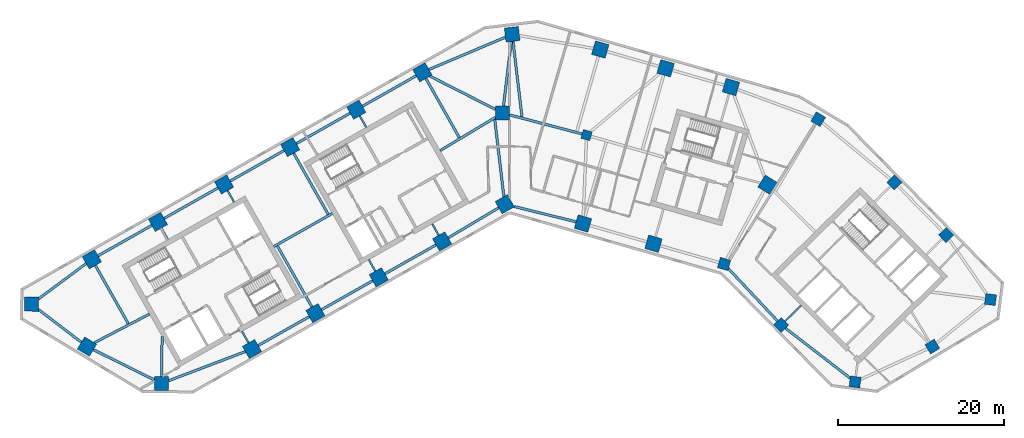
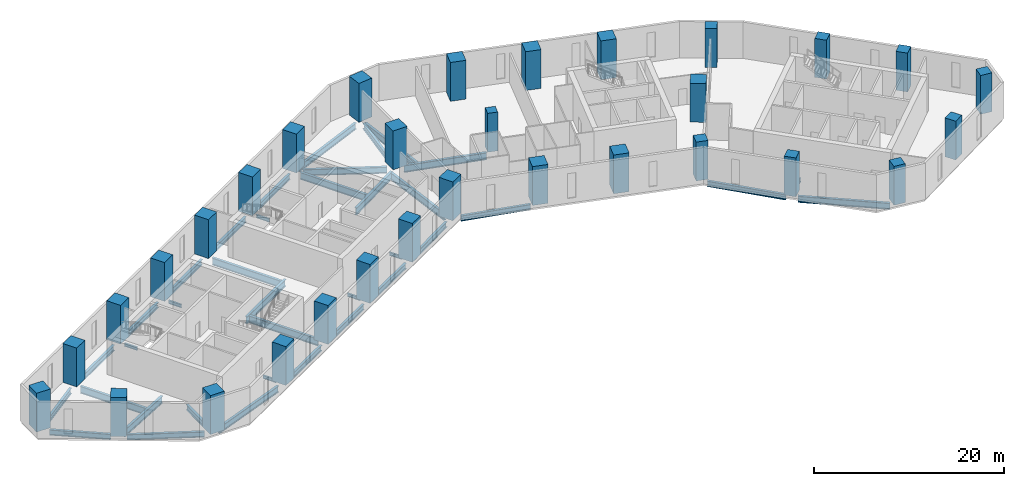
# One storey, part 1 of 10: 37 beams, 31 columns.
"""IFC4 building model written with IfcOpenShell, lengths in metres."""

from ifc_helpers import new_model, si_unit, direction, frame, origin, origin_2d, place, context, subcontext, project, spatial, rectangle, i_section, extrude, material, material_profile, profile_set, type_object, element, save


model = new_model("IFC4")

# Units and contexts
model_context = context("Model", 3, precision=1e-05, world=origin(), true_north=direction((0.0, 1.0)))
body_context = subcontext(model_context, "Body", "Model", "MODEL_VIEW")
ifc_project = project(units=[si_unit("LENGTHUNIT", "METRE"), si_unit("AREAUNIT", "SQUARE_METRE"), si_unit("VOLUMEUNIT", "CUBIC_METRE"), si_unit("PLANEANGLEUNIT", "RADIAN"), si_unit("MASSUNIT", "GRAM", prefix="KILO")], contexts=[model_context])

# Site, building, storey
site_placement = place(None, origin())
site = spatial("IfcSite", under=ifc_project, at=site_placement, CompositionType="ELEMENT")
building_placement = place(site_placement, origin())
building = spatial("IfcBuilding", under=site, at=building_placement, Name="Binnacle Exchange Tower", CompositionType="ELEMENT")
storey_placement = place(building_placement, frame((0.0, 0.0, 71.5)))
storey = spatial("IfcBuildingStorey", under=building, at=storey_placement, Name="L14", CompositionType="ELEMENT", Elevation=71.5)

# Columns
ifc_material_1 = material(Name="Concrete C60/75", Category="concrete")
ifc_material_profile_1 = material_profile(ifc_material_1, rectangle(XDim=1.10009765625, YDim=1.10009765625, at=origin_2d()), Name="Column 1100x1100 C60/75")
ifc_profile_set_1 = profile_set([ifc_material_profile_1], Name="Concrete C60/75")
column_type_1 = type_object("IfcColumnType", Name="Column 1100x1100 C60/75", PredefinedType="COLUMN", material=ifc_profile_set_1)
column_placement = place(storey_placement, frame((9.240966796875, 57.35009765625, 0.0), z_axis=(0.0, 0.0, 1.0), x_axis=(0.961261695938, -0.275637355817, 0.0)))
element("IfcColumn", 1, at=column_placement, inside=storey, type_object=column_type_1, Name="S:COL:C19:L14", PredefinedType="COLUMN", context=body_context, shape_type="SweptSolid", body=[
    extrude(rectangle(XDim=1.10009765625, YDim=1.10009765625, at=origin_2d()), origin(), (0.0, 0.0, 1.0), 5.0),
])
ifc_material_2 = material(Name="Concrete C70/85", Category="concrete")
ifc_material_profile_2 = material_profile(ifc_material_2, rectangle(XDim=1.300048828125, YDim=1.300048828125, at=origin_2d()), Name="Mega column 1300x1300 C70/85")
ifc_profile_set_2 = profile_set([ifc_material_profile_2], Name="Concrete C70/85")
column_type_2 = type_object("IfcColumnType", Name="Mega column 1300x1300 C70/85", PredefinedType="COLUMN", material=ifc_profile_set_2)
for number, where, z_axis, x_axis, name in (
    (2, (37.0849609375, 59.262451171875, 0.0), (0.0, 0.0, 1.0), (-0.859406411501, 0.511293086077, 0.0), "S:COL:MC57:L14"),
    (3, (25.766845703125, 41.85986328125, 0.0), (0.0, 0.0, 1.0), (0.961261695938, -0.275637355817, 0.0), "S:COL:MC56:L14"),
    (4, (32.64111328125, 34.530029296875, 0.0), (0.0, 0.0, 1.0), (0.7009092643, -0.713250449154, 0.0), "S:COL:MC59:L14"),
    (5, (41.519775390625, 27.6748046875, 0.0), (0.0, 0.0, 1.0), (0.99200494968, -0.126198969136, 0.0), "S:COL:MC61:L14"),
    (6, (50.81201171875, 31.930908203125, 0.0), (0.0, 0.0, 1.0), (0.857167300702, 0.51503807491, 0.0), "S:COL:MC63:L14"),
    (7, (57.799072265625, 37.5810546875, 0.0), (0.0, 0.0, 1.0), (0.126198969136, 0.99200494968, 0.0), "S:COL:MC62:L14"),
    (8, (52.466796875, 45.33935546875, 0.0), (0.0, 0.0, 1.0), (-0.7009092643, 0.713250449154, 0.0), "S:COL:MC60:L14"),
    (9, (46.248291015625, 51.667236328125, 0.0), (0.0, 0.0, 1.0), (-0.7009092643, 0.713250449154, 0.0), "S:COL:MC58:L14"),
):
    element("IfcColumn", number, at=place(storey_placement, frame(where, z_axis=z_axis, x_axis=x_axis)), inside=storey, type_object=column_type_2, Name=name, PredefinedType="COLUMN", context=body_context, shape_type="SweptSolid", body=[
        extrude(rectangle(XDim=1.300048828125, YDim=1.300048828125, at=origin_2d()), origin(), (0.0, 0.0, 1.0), 5.0),
    ])
ifc_material_profile_3 = material_profile(ifc_material_2, rectangle(XDim=1.699951171875, YDim=1.699951171875, at=origin_2d()), Name="Mega column 1700x1700 C70/85")
ifc_profile_set_3 = profile_set([ifc_material_profile_3], Name="Concrete C70/85")
column_type_3 = type_object("IfcColumnType", Name="Mega column 1700x1700 C70/85", PredefinedType="COLUMN", material=ifc_profile_set_3)
for number, where, z_axis, x_axis, name in (
    (10, (26.602783203125, 63.12353515625, 0.0), (0.0, 0.0, 1.0), (-0.961261695938, 0.275637355817, 0.0), "S:COL:MC52:L14"),
    (11, (18.746337890625, 65.376220703125, 0.0), (0.0, 0.0, 1.0), (-0.961261695938, 0.275637355817, 0.0), "S:COL:MC50:L14"),
    (12, (10.889892578125, 67.62890625, 0.0), (0.0, 0.0, 1.0), (-0.961261695938, 0.275637355817, 0.0), "S:COL:MC48:L14"),
    (13, (0.300048828125, 69.464111328125, 0.0), (0.0, 0.0, 1.0), (-0.993068456955, -0.117537397458, 0.0), "S:COL:MC47:L14"),
    (14, (-10.4951171875, 64.901611328125, 0.0), (0.0, 0.0, 1.0), (-0.87035569594, -0.492423560103, 0.0), "S:COL:MC38:L14"),
    (15, (-18.44140625, 60.406005859375, 0.0), (0.0, 0.0, 1.0), (-0.87035569594, -0.492423560103, 0.0), "S:COL:MC29:L14"),
    (16, (-26.3876953125, 55.91015625, 0.0), (0.0, 0.0, 1.0), (-0.87035569594, -0.492423560103, 0.0), "S:COL:MC21:L14"),
    (17, (-34.333740234375, 51.414306640625, 0.0), (0.0, 0.0, 1.0), (-0.87035569594, -0.492423560103, 0.0), "S:COL:MC13:L14"),
    (18, (-42.280029296875, 46.918701171875, 0.0), (0.0, 0.0, 1.0), (-0.87035569594, -0.492423560103, 0.0), "S:COL:MC08:L14"),
    (19, (-50.226318359375, 42.4228515625, 0.0), (0.0, 0.0, 1.0), (-0.87035569594, -0.492423560103, 0.0), "S:COL:MC04:L14"),
    (20, (-57.492919921875, 37.02734375, 0.0), (0.0, 0.0, 1.0), (-0.013089595571, -0.999914327574, 0.0), "S:COL:MC02:L14"),
    (21, (-50.81201171875, 31.930908203125, 0.0), (0.0, 0.0, 1.0), (0.857167300702, -0.51503807491, 0.0), "S:COL:MC01:L14"),
    (22, (-41.857666015625, 27.494873046875, 0.0), (0.0, 0.0, 1.0), (0.999914327574, -0.013089595571, 0.0), "S:COL:MC03:L14"),
    (23, (-30.9755859375, 31.63525390625, 0.0), (0.0, 0.0, 1.0), (0.87035569594, 0.492423560103, 0.0), "S:COL:MC07:L14"),
    (24, (-23.35595703125, 35.9462890625, 0.0), (0.0, 0.0, 1.0), (0.87035569594, 0.492423560103, 0.0), "S:COL:MC16:L14"),
    (25, (-15.736328125, 40.257080078125, 0.0), (0.0, 0.0, 1.0), (0.87035569594, 0.492423560103, 0.0), "S:COL:MC24:L14"),
    (26, (-8.116943359375, 44.568115234375, 0.0), (0.0, 0.0, 1.0), (0.87035569594, 0.492423560103, 0.0), "S:COL:MC35:L14"),
    (27, (-0.5908203125, 49.04443359375, 0.0), (0.0, 0.0, 1.0), (0.87035569594, 0.492423560103, 0.0), "S:COL:MC46:L14"),
    (28, (8.8095703125, 46.722412109375, 0.0), (0.0, 0.0, 1.0), (0.961261695938, -0.275637355817, 0.0), "S:COL:MC49:L14"),
    (29, (17.2880859375, 44.291015625, 0.0), (0.0, 0.0, 1.0), (0.961261695938, -0.275637355817, 0.0), "S:COL:MC51:L14"),
    (30, (30.989501953125, 51.38623046875, 0.0), (0.0, 0.0, 1.0), (0.529919264233, 0.848048096156, 0.0), "S:COL:MC55:L14"),
    (31, (-0.85009765625, 60.0, 0.0), (0.0, 0.0, 1.0), (0.0, 1.0, 0.0), "S:COL:MC45:L14"),
):
    element("IfcColumn", number, at=place(storey_placement, frame(where, z_axis=z_axis, x_axis=x_axis)), inside=storey, type_object=column_type_3, Name=name, PredefinedType="COLUMN", context=body_context, shape_type="SweptSolid", body=[
        extrude(rectangle(XDim=1.699951171875, YDim=1.699951171875, at=origin_2d()), origin(), (0.0, 0.0, 1.0), 5.0),
    ])

# Beams
ifc_material_3 = material(Name="Steel S355 (SHN355)", Category="steel")
ifc_material_profile_4 = material_profile(ifc_material_3, i_section(OverallWidth=0.300048828125, OverallDepth=0.699951171875, WebThickness=0.012939453125, FlangeThickness=0.02392578125, FilletRadius=0.028076171875, at=origin_2d()), Name="H 700x300x13x24")
ifc_profile_set_4 = profile_set([ifc_material_profile_4], Name="Steel S355 (SHN355)")
beam_type_1 = type_object("IfcBeamType", Name="Edge girder H 700x300x13x24 Steel S355 (SHN355)", PredefinedType="SPANDREL", material=ifc_profile_set_4)
beam_1_placement = place(storey_placement, frame((-56.6513671875, 36.38525390625, -0.669921875), z_axis=(0.795093040263, -0.606487474994, 0.0), x_axis=(0.606487474994, 0.795093040263, 0.0)))
element("IfcBeam", 32, at=beam_1_placement, inside=storey, type_object=beam_type_1, Name="S:BM:edge:L14:015", PredefinedType="SPANDREL", context=body_context, shape_type="SweptSolid", body=[
    extrude(i_section(OverallWidth=0.300048828125, OverallDepth=0.699951171875, WebThickness=0.012939453125, FlangeThickness=0.02392578125, FilletRadius=0.028076171875, at=origin_2d()), origin(), (0.0, 0.0, 1.0), 6.489013671875),
])
beam_2_placement = place(storey_placement, frame((-50.913818359375, 41.912353515625, -0.669921875), z_axis=(-0.80288535334, -0.59613346609, 0.0), x_axis=(0.59613346609, -0.80288535334, 0.0)))
element("IfcBeam", 33, at=beam_2_placement, inside=storey, type_object=beam_type_1, Name="S:BM:edge:L14:016", PredefinedType="SPANDREL", context=body_context, shape_type="SweptSolid", body=[
    extrude(i_section(OverallWidth=0.300048828125, OverallDepth=0.699951171875, WebThickness=0.012939453125, FlangeThickness=0.02392578125, FilletRadius=0.028076171875, at=origin_2d()), origin(), (0.0, 0.0, 1.0), 7.125244140625),
])
beam_3_placement = place(storey_placement, frame((-43.019775390625, 46.5, -0.669921875), z_axis=(-0.870364477798, -0.492408037898, 0.0), x_axis=(0.492408037898, -0.870364477798, 0.0)))
element("IfcBeam", 34, at=beam_3_placement, inside=storey, type_object=beam_type_1, Name="S:BM:edge:L14:018", PredefinedType="SPANDREL", context=body_context, shape_type="SweptSolid", body=[
    extrude(i_section(OverallWidth=0.300048828125, OverallDepth=0.699951171875, WebThickness=0.012939453125, FlangeThickness=0.02392578125, FilletRadius=0.028076171875, at=origin_2d()), origin(), (0.0, 0.0, 1.0), 7.4296875),
])
beam_4_placement = place(storey_placement, frame((-35.073486328125, 50.995849609375, -0.669921875), z_axis=(-0.870372444894, -0.492393955253, 0.0), x_axis=(0.492393955253, -0.870372444894, 0.0)))
element("IfcBeam", 35, at=beam_4_placement, inside=storey, type_object=beam_type_1, Name="S:BM:edge:L14:020", PredefinedType="SPANDREL", context=body_context, shape_type="SweptSolid", body=[
    extrude(i_section(OverallWidth=0.300048828125, OverallDepth=0.699951171875, WebThickness=0.012939453125, FlangeThickness=0.02392578125, FilletRadius=0.028076171875, at=origin_2d()), origin(), (0.0, 0.0, 1.0), 7.429931640625),
])
beam_5_placement = place(storey_placement, frame((-30.23583984375, 32.053955078125, -0.669921875), z_axis=(0.870373276953, 0.492392484473, 0.0), x_axis=(-0.492392484473, 0.870373276953, 0.0)))
element("IfcBeam", 36, at=beam_5_placement, inside=storey, type_object=beam_type_1, Name="S:BM:edge:L14:021", PredefinedType="SPANDREL", context=body_context, shape_type="SweptSolid", body=[
    extrude(i_section(OverallWidth=0.300048828125, OverallDepth=0.699951171875, WebThickness=0.012939453125, FlangeThickness=0.02392578125, FilletRadius=0.028076171875, at=origin_2d()), origin(), (0.0, 0.0, 1.0), 7.0546875),
])
beam_6_placement = place(storey_placement, frame((-27.12744140625, 55.49169921875, -0.669921875), z_axis=(-0.870350394687, -0.492432929919, 0.0), x_axis=(0.492432929919, -0.870350394687, 0.0)))
element("IfcBeam", 37, at=beam_6_placement, inside=storey, type_object=beam_type_1, Name="S:BM:edge:L14:022", PredefinedType="SPANDREL", context=body_context, shape_type="SweptSolid", body=[
    extrude(i_section(OverallWidth=0.300048828125, OverallDepth=0.699951171875, WebThickness=0.012939453125, FlangeThickness=0.02392578125, FilletRadius=0.028076171875, at=origin_2d()), origin(), (0.0, 0.0, 1.0), 7.429931640625),
])
beam_7_placement = place(storey_placement, frame((-22.6162109375, 36.36474609375, -0.669921875), z_axis=(0.870350053651, 0.492433532681, 0.0), x_axis=(-0.492433532681, 0.870350053651, 0.0)))
element("IfcBeam", 38, at=beam_7_placement, inside=storey, type_object=beam_type_1, Name="S:BM:edge:L14:023", PredefinedType="SPANDREL", context=body_context, shape_type="SweptSolid", body=[
    extrude(i_section(OverallWidth=0.300048828125, OverallDepth=0.699951171875, WebThickness=0.012939453125, FlangeThickness=0.02392578125, FilletRadius=0.028076171875, at=origin_2d()), origin(), (0.0, 0.0, 1.0), 7.054443359375),
])
beam_8_placement = place(storey_placement, frame((-19.18115234375, 59.9873046875, -0.669921875), z_axis=(-0.870364477798, -0.492408037898, 0.0), x_axis=(0.492408037898, -0.870364477798, 0.0)))
element("IfcBeam", 39, at=beam_8_placement, inside=storey, type_object=beam_type_1, Name="S:BM:edge:L14:024", PredefinedType="SPANDREL", context=body_context, shape_type="SweptSolid", body=[
    extrude(i_section(OverallWidth=0.300048828125, OverallDepth=0.699951171875, WebThickness=0.012939453125, FlangeThickness=0.02392578125, FilletRadius=0.028076171875, at=origin_2d()), origin(), (0.0, 0.0, 1.0), 7.4296875),
])
beam_9_placement = place(storey_placement, frame((-14.99658203125, 40.67578125, -0.669921875), z_axis=(0.870364886025, 0.492407316329, 0.0), x_axis=(-0.492407316329, 0.870364886025, 0.0)))
element("IfcBeam", 40, at=beam_9_placement, inside=storey, type_object=beam_type_1, Name="S:BM:edge:L14:025", PredefinedType="SPANDREL", context=body_context, shape_type="SweptSolid", body=[
    extrude(i_section(OverallWidth=0.300048828125, OverallDepth=0.699951171875, WebThickness=0.012939453125, FlangeThickness=0.02392578125, FilletRadius=0.028076171875, at=origin_2d()), origin(), (0.0, 0.0, 1.0), 7.054443359375),
])
beam_10_placement = place(storey_placement, frame((-11.23486328125, 64.483154296875, -0.669921875), z_axis=(-0.870364477798, -0.492408037898, 0.0), x_axis=(0.492408037898, -0.870364477798, 0.0)))
element("IfcBeam", 41, at=beam_10_placement, inside=storey, type_object=beam_type_1, Name="S:BM:edge:L14:026", PredefinedType="SPANDREL", context=body_context, shape_type="SweptSolid", body=[
    extrude(i_section(OverallWidth=0.300048828125, OverallDepth=0.699951171875, WebThickness=0.012939453125, FlangeThickness=0.02392578125, FilletRadius=0.028076171875, at=origin_2d()), origin(), (0.0, 0.0, 1.0), 7.4296875),
])
beam_11_placement = place(storey_placement, frame((-7.38623046875, 45.002685546875, -0.669921875), z_axis=(0.859464815262, 0.511194905419, 0.0), x_axis=(-0.511194905419, 0.859464815262, 0.0)))
element("IfcBeam", 42, at=beam_11_placement, inside=storey, type_object=beam_type_1, Name="S:BM:edge:L14:027", PredefinedType="SPANDREL", context=body_context, shape_type="SweptSolid", body=[
    extrude(i_section(OverallWidth=0.300048828125, OverallDepth=0.699951171875, WebThickness=0.012939453125, FlangeThickness=0.02392578125, FilletRadius=0.028076171875, at=origin_2d()), origin(), (0.0, 0.0, 1.0), 7.056396484375),
])
beam_12_placement = place(storey_placement, frame((0.54443359375, 48.763916015625, -0.669921875), z_axis=(0.970818997342, -0.239813415805, 0.0), x_axis=(0.239813415805, 0.970818997342, 0.0)))
element("IfcBeam", 43, at=beam_12_placement, inside=storey, type_object=beam_type_1, Name="S:BM:edge:L14:029", PredefinedType="SPANDREL", context=body_context, shape_type="SweptSolid", body=[
    extrude(i_section(OverallWidth=0.300048828125, OverallDepth=0.699951171875, WebThickness=0.012939453125, FlangeThickness=0.02392578125, FilletRadius=0.028076171875, at=origin_2d()), origin(), (0.0, 0.0, 1.0), 7.662841796875),
])
ifc_material_profile_5 = material_profile(ifc_material_3, i_section(OverallWidth=0.302001953125, OverallDepth=0.7080078125, WebThickness=0.014892578125, FlangeThickness=0.028076171875, FilletRadius=0.028076171875, at=origin_2d()), Name="H 708x302x15x28")
ifc_profile_set_5 = profile_set([ifc_material_profile_5], Name="Steel S355 (SHN355)")
beam_type_2 = type_object("IfcBeamType", Name="Edge girder H 708x302x15x28 Steel S355 (SHN355)", PredefinedType="SPANDREL", material=ifc_profile_set_5)
beam_13_placement = place(storey_placement, frame((-50.0478515625, 31.55224609375, -0.674072265625), z_axis=(0.896059216286, -0.443934545749, 0.0), x_axis=(0.443934545749, 0.896059216286, 0.0)))
element("IfcBeam", 44, at=beam_13_placement, inside=storey, type_object=beam_type_2, Name="S:BM:edge:L14:017", PredefinedType="SPANDREL", context=body_context, shape_type="SweptSolid", body=[
    extrude(i_section(OverallWidth=0.302001953125, OverallDepth=0.7080078125, WebThickness=0.014892578125, FlangeThickness=0.028076171875, FilletRadius=0.028076171875, at=origin_2d()), origin(), (0.0, 0.0, 1.0), 8.197509765625),
])
beam_14_placement = place(storey_placement, frame((26.284912109375, 41.3076171875, -0.674072265625), z_axis=(0.684056711164, -0.729428828544, 0.0), x_axis=(0.729428828544, 0.684056711164, 0.0)))
element("IfcBeam", 45, at=beam_14_placement, inside=storey, type_object=beam_type_2, Name="S:BM:edge:L14:035", PredefinedType="SPANDREL", context=body_context, shape_type="SweptSolid", body=[
    extrude(i_section(OverallWidth=0.302001953125, OverallDepth=0.7080078125, WebThickness=0.014892578125, FlangeThickness=0.028076171875, FilletRadius=0.028076171875, at=origin_2d()), origin(), (0.0, 0.0, 1.0), 8.6416015625),
])
ifc_material_profile_6 = material_profile(ifc_material_3, i_section(OverallWidth=0.302001953125, OverallDepth=0.80810546875, WebThickness=0.01611328125, FlangeThickness=0.030029296875, FilletRadius=0.028076171875, at=origin_2d()), Name="H 808x302x16x30")
ifc_profile_set_6 = profile_set([ifc_material_profile_6], Name="Steel S355 (SHN355)")
beam_type_3 = type_object("IfcBeamType", Name="Edge girder H 808x302x16x30 Steel S355 (SHN355)", PredefinedType="SPANDREL", material=ifc_profile_set_6)
beam_15_placement = place(storey_placement, frame((-41.00341796875, 27.81982421875, -0.72412109375), z_axis=(0.934628738252, 0.355624973297, 0.0), x_axis=(-0.355624973297, 0.934628738252, 0.0)))
element("IfcBeam", 46, at=beam_15_placement, inside=storey, type_object=beam_type_3, Name="S:BM:edge:L14:019", PredefinedType="SPANDREL", context=body_context, shape_type="SweptSolid", body=[
    extrude(i_section(OverallWidth=0.302001953125, OverallDepth=0.80810546875, WebThickness=0.01611328125, FlangeThickness=0.030029296875, FilletRadius=0.028076171875, at=origin_2d()), origin(), (0.0, 0.0, 1.0), 9.869384765625),
])
beam_16_placement = place(storey_placement, frame((-0.51513671875, 69.11962890625, -0.72412109375), z_axis=(-0.921111373297, -0.389299162578, 0.0), x_axis=(0.389299162578, -0.921111373297, 0.0)))
element("IfcBeam", 47, at=beam_16_placement, inside=storey, type_object=beam_type_3, Name="S:BM:edge:L14:028", PredefinedType="SPANDREL", context=body_context, shape_type="SweptSolid", body=[
    extrude(i_section(OverallWidth=0.302001953125, OverallDepth=0.80810546875, WebThickness=0.01611328125, FlangeThickness=0.030029296875, FilletRadius=0.028076171875, at=origin_2d()), origin(), (0.0, 0.0, 1.0), 9.978759765625),
])
beam_17_placement = place(storey_placement, frame((33.160400390625, 34.12890625, -0.72412109375), z_axis=(0.791533490776, -0.611125791454, 0.0), x_axis=(0.611125791454, 0.791533490776, 0.0)))
element("IfcBeam", 48, at=beam_17_placement, inside=storey, type_object=beam_type_3, Name="S:BM:edge:L14:036", PredefinedType="SPANDREL", context=body_context, shape_type="SweptSolid", body=[
    extrude(i_section(OverallWidth=0.302001953125, OverallDepth=0.80810546875, WebThickness=0.01611328125, FlangeThickness=0.030029296875, FilletRadius=0.028076171875, at=origin_2d()), origin(), (0.0, 0.0, 1.0), 9.80712890625),
])
ifc_material_profile_7 = material_profile(ifc_material_3, i_section(OverallWidth=0.199951171875, OverallDepth=0.39990234375, WebThickness=0.008056640625, FlangeThickness=0.012939453125, FilletRadius=0.01611328125, at=origin_2d()), Name="H 400x200x8x13")
ifc_profile_set_7 = profile_set([ifc_material_profile_7], Name="Steel S355 (SHN355)")
beam_type_4 = type_object("IfcBeamType", Name="Floor beam H 400x200x8x13 Steel S355 (SHN355)", PredefinedType="BEAM", material=ifc_profile_set_7)
beam_18_placement = place(storey_placement, frame((-41.861328125, 46.178955078125, -0.52001953125), z_axis=(0.492366981934, -0.870387703901, 0.0), x_axis=(0.870387703901, 0.492366981934, 0.0)))
element("IfcBeam", 49, at=beam_18_placement, inside=storey, type_object=beam_type_4, Name="S:BM:cross:L14:044", PredefinedType="BEAM", context=body_context, shape_type="SweptSolid", body=[
    extrude(i_section(OverallWidth=0.199951171875, OverallDepth=0.39990234375, WebThickness=0.008056640625, FlangeThickness=0.012939453125, FilletRadius=0.01611328125, at=origin_2d()), origin(), (0.0, 0.0, 1.0), 1.584228515625),
])
beam_19_placement = place(storey_placement, frame((-33.915283203125, 50.674560546875, -0.52001953125), z_axis=(0.492483715062, -0.870321659158, 0.0), x_axis=(0.870321659158, 0.492483715062, 0.0)))
element("IfcBeam", 50, at=beam_19_placement, inside=storey, type_object=beam_type_4, Name="S:BM:cross:L14:046", PredefinedType="BEAM", context=body_context, shape_type="SweptSolid", body=[
    extrude(i_section(OverallWidth=0.199951171875, OverallDepth=0.39990234375, WebThickness=0.008056640625, FlangeThickness=0.012939453125, FilletRadius=0.01611328125, at=origin_2d()), origin(), (0.0, 0.0, 1.0), 1.58447265625),
])
for number, where, z_axis, x_axis, name in (
    (51, (-31.394287109375, 32.375, -0.52001953125), (-0.492366981934, 0.870387703901, 0.0), (-0.870387703901, -0.492366981934, 0.0), "S:BM:cross:L14:047"),
    (52, (-18.022705078125, 59.666259765625, -0.52001953125), (0.492366981934, -0.870387703901, 0.0), (0.870387703901, 0.492366981934, 0.0), "S:BM:cross:L14:050"),
    (53, (-16.155029296875, 40.9970703125, -0.52001953125), (-0.492366981934, 0.870387703901, 0.0), (-0.870387703901, -0.492366981934, 0.0), "S:BM:cross:L14:051"),
):
    element("IfcBeam", number, at=place(storey_placement, frame(where, z_axis=z_axis, x_axis=x_axis)), inside=storey, type_object=beam_type_4, Name=name, PredefinedType="BEAM", context=body_context, shape_type="SweptSolid", body=[
        extrude(i_section(OverallWidth=0.199951171875, OverallDepth=0.39990234375, WebThickness=0.008056640625, FlangeThickness=0.012939453125, FilletRadius=0.01611328125, at=origin_2d()), origin(), (0.0, 0.0, 1.0), 1.584228515625),
    ])
beam_20_placement = place(storey_placement, frame((-8.535400390625, 45.307861328125, -0.52001953125), z_axis=(-0.492483715062, 0.870321659158, 0.0), x_axis=(-0.870321659158, -0.492483715062, 0.0)))
element("IfcBeam", 54, at=beam_20_placement, inside=storey, type_object=beam_type_4, Name="S:BM:cross:L14:053", PredefinedType="BEAM", context=body_context, shape_type="SweptSolid", body=[
    extrude(i_section(OverallWidth=0.199951171875, OverallDepth=0.39990234375, WebThickness=0.008056640625, FlangeThickness=0.012939453125, FilletRadius=0.01611328125, at=origin_2d()), origin(), (0.0, 0.0, 1.0), 1.58447265625),
])
ifc_material_profile_8 = material_profile(ifc_material_3, i_section(OverallWidth=0.199951171875, OverallDepth=0.449951171875, WebThickness=0.009033203125, FlangeThickness=0.013916015625, FilletRadius=0.01806640625, at=origin_2d()), Name="H 450x200x9x14")
ifc_profile_set_8 = profile_set([ifc_material_profile_8], Name="Steel S355 (SHN355)")
beam_type_5 = type_object("IfcBeamType", Name="Floor beam H 450x200x9x14 Steel S355 (SHN355)", PredefinedType="BEAM", material=ifc_profile_set_8)
beam_21_placement = place(storey_placement, frame((33.104736328125, 34.985595703125, -0.544921875), z_axis=(0.713254209224, 0.700905438004, 0.0), x_axis=(-0.700905438004, 0.713254209224, 0.0)))
element("IfcBeam", 55, at=beam_21_placement, inside=storey, type_object=beam_type_5, Name="S:BM:cross:L14:061", PredefinedType="BEAM", context=body_context, shape_type="SweptSolid", body=[
    extrude(i_section(OverallWidth=0.199951171875, OverallDepth=0.449951171875, WebThickness=0.009033203125, FlangeThickness=0.013916015625, FilletRadius=0.01806640625, at=origin_2d()), origin(), (0.0, 0.0, 1.0), 2.70849609375),
])
ifc_material_profile_9 = material_profile(ifc_material_3, i_section(OverallWidth=0.300048828125, OverallDepth=0.699951171875, WebThickness=0.012939453125, FlangeThickness=0.02392578125, FilletRadius=0.028076171875, at=origin_2d()), Name="H 700x300x13x24")
ifc_profile_set_9 = profile_set([ifc_material_profile_9], Name="Steel S355 (SHN355)")
beam_type_6 = type_object("IfcBeamType", Name="Floor beam H 700x300x13x24 Steel S355 (SHN355)", PredefinedType="BEAM", material=ifc_profile_set_9)
beam_22_placement = place(storey_placement, frame((-41.8466796875, 28.3447265625, -0.669921875), z_axis=(0.013120628196, 0.999913920853, 0.0), x_axis=(-0.999913920853, 0.013120628196, 0.0)))
element("IfcBeam", 56, at=beam_22_placement, inside=storey, type_object=beam_type_6, Name="S:BM:cross:L14:045", PredefinedType="BEAM", context=body_context, shape_type="SweptSolid", body=[
    extrude(i_section(OverallWidth=0.300048828125, OverallDepth=0.699951171875, WebThickness=0.012939453125, FlangeThickness=0.02392578125, FilletRadius=0.028076171875, at=origin_2d()), origin(), (0.0, 0.0, 1.0), 4.80078125),
])
ifc_material_profile_10 = material_profile(ifc_material_3, i_section(OverallWidth=0.300048828125, OverallDepth=0.89990234375, WebThickness=0.01611328125, FlangeThickness=0.028076171875, FilletRadius=0.028076171875, at=origin_2d()), Name="H 900x300x16x28")
ifc_profile_set_10 = profile_set([ifc_material_profile_10], Name="Steel S355 (SHN355)")
beam_type_7 = type_object("IfcBeamType", Name="Floor beam H 900x300x16x28 Steel S355 (SHN355)", PredefinedType="BEAM", material=ifc_profile_set_10)
beam_23_placement = place(storey_placement, frame((-49.8076171875, 41.68310546875, -0.77001953125), z_axis=(0.492423370769, -0.87035580306, 0.0), x_axis=(0.87035580306, 0.492423370769, 0.0)))
element("IfcBeam", 57, at=beam_23_placement, inside=storey, type_object=beam_type_7, Name="S:BM:cross:L14:043", PredefinedType="BEAM", context=body_context, shape_type="SweptSolid", body=[
    extrude(i_section(OverallWidth=0.300048828125, OverallDepth=0.89990234375, WebThickness=0.01611328125, FlangeThickness=0.028076171875, FilletRadius=0.028076171875, at=origin_2d()), origin(), (0.0, 0.0, 1.0), 8.041259765625),
])
beam_24_placement = place(storey_placement, frame((-10.076416015625, 64.161865234375, -0.77001953125), z_axis=(0.492410737926, -0.870362950254, 0.0), x_axis=(0.870362950254, 0.492410737926, 0.0)))
element("IfcBeam", 58, at=beam_24_placement, inside=storey, type_object=beam_type_7, Name="S:BM:cross:L14:052", PredefinedType="BEAM", context=body_context, shape_type="SweptSolid", body=[
    extrude(i_section(OverallWidth=0.300048828125, OverallDepth=0.89990234375, WebThickness=0.01611328125, FlangeThickness=0.028076171875, FilletRadius=0.028076171875, at=origin_2d()), origin(), (0.0, 0.0, 1.0), 8.16943359375),
])
ifc_material_profile_11 = material_profile(ifc_material_3, i_section(OverallWidth=0.302001953125, OverallDepth=0.912109375, WebThickness=0.01806640625, FlangeThickness=0.033935546875, FilletRadius=0.028076171875, at=origin_2d()), Name="H 912x302x18x34")
ifc_profile_set_11 = profile_set([ifc_material_profile_11], Name="Steel S355 (SHN355)")
beam_type_8 = type_object("IfcBeamType", Name="Floor beam H 912x302x18x34 Steel S355 (SHN355)", PredefinedType="BEAM", material=ifc_profile_set_11)
for number, where, z_axis, x_axis, name in (
    (59, (-25.968994140625, 55.17041015625, -0.77587890625), (0.492409177884, -0.870363832851, 0.0), (0.870363832851, 0.492409177884, 0.0), "S:BM:cross:L14:048"),
    (60, (-23.774658203125, 36.68603515625, -0.77587890625), (-0.492409177884, 0.870363832851, 0.0), (-0.870363832851, -0.492409177884, 0.0), "S:BM:cross:L14:049"),
):
    element("IfcBeam", number, at=place(storey_placement, frame(where, z_axis=z_axis, x_axis=x_axis)), inside=storey, type_object=beam_type_8, Name=name, PredefinedType="BEAM", context=body_context, shape_type="SweptSolid", body=[
        extrude(i_section(OverallWidth=0.302001953125, OverallDepth=0.912109375, WebThickness=0.01806640625, FlangeThickness=0.033935546875, FilletRadius=0.028076171875, at=origin_2d()), origin(), (0.0, 0.0, 1.0), 8.43408203125),
    ])
ifc_material_profile_12 = material_profile(ifc_material_3, i_section(OverallWidth=0.302978515625, OverallDepth=0.91796875, WebThickness=0.01904296875, FlangeThickness=0.037109375, FilletRadius=0.028076171875, at=origin_2d()), Name="H 918x303x19x37")
ifc_profile_set_12 = profile_set([ifc_material_profile_12], Name="Steel S355 (SHN355)")
beam_type_9 = type_object("IfcBeamType", Name="Floor beam H 918x303x19x37 Steel S355 (SHN355)", PredefinedType="BEAM", material=ifc_profile_set_12)
beam_25_placement = place(storey_placement, frame((-0.69921875, 49.959716796875, -0.779052734375), z_axis=(-0.117528717449, 0.993069484263, 0.0), x_axis=(-0.993069484263, -0.117528717449, 0.0)))
element("IfcBeam", 61, at=beam_25_placement, inside=storey, type_object=beam_type_9, Name="S:BM:cross:L14:054", PredefinedType="BEAM", context=body_context, shape_type="SweptSolid", body=[
    extrude(i_section(OverallWidth=0.302978515625, OverallDepth=0.91796875, WebThickness=0.01904296875, FlangeThickness=0.037109375, FilletRadius=0.028076171875, at=origin_2d()), origin(), (0.0, 0.0, 1.0), 9.374755859375),
])
beam_26_placement = place(storey_placement, frame((0.39990234375, 68.6201171875, -0.779052734375), z_axis=(0.117562643201, -0.993065468599, 0.0), x_axis=(0.993065468599, 0.117562643201, 0.0)))
element("IfcBeam", 62, at=beam_26_placement, inside=storey, type_object=beam_type_9, Name="S:BM:cross:L14:055", PredefinedType="BEAM", context=body_context, shape_type="SweptSolid", body=[
    extrude(i_section(OverallWidth=0.302978515625, OverallDepth=0.91796875, WebThickness=0.01904296875, FlangeThickness=0.037109375, FilletRadius=0.028076171875, at=origin_2d()), origin(), (0.0, 0.0, 1.0), 9.14990234375),
])
ifc_material_profile_13 = material_profile(ifc_material_3, i_section(OverallWidth=0.302001953125, OverallDepth=0.7080078125, WebThickness=0.014892578125, FlangeThickness=0.028076171875, FilletRadius=0.028076171875, at=origin_2d()), Name="H 708x302x15x28")
ifc_profile_set_13 = profile_set([ifc_material_profile_13], Name="Steel S355 (SHN355)")
beam_type_10 = type_object("IfcBeamType", Name="Spine girder H 708x302x15x28 Steel S355 (SHN355)", PredefinedType="BEAM", material=ifc_profile_set_13)
beam_27_placement = place(storey_placement, frame((-0.74658203125, 60.85009765625, -0.674072265625), z_axis=(0.120621974738, 0.992698513755, 0.0), x_axis=(-0.992698513755, 0.120621974738, 0.0)))
element("IfcBeam", 63, at=beam_27_placement, inside=storey, type_object=beam_type_10, Name="S:BM:spine:L14:005", PredefinedType="BEAM", context=body_context, shape_type="SweptSolid", body=[
    extrude(i_section(OverallWidth=0.302001953125, OverallDepth=0.7080078125, WebThickness=0.014892578125, FlangeThickness=0.028076171875, FilletRadius=0.028076171875, at=origin_2d()), origin(), (0.0, 0.0, 1.0), 7.802490234375),
])
ifc_material_profile_14 = material_profile(ifc_material_3, i_section(OverallWidth=0.302001953125, OverallDepth=0.80810546875, WebThickness=0.01611328125, FlangeThickness=0.030029296875, FilletRadius=0.028076171875, at=origin_2d()), Name="H 808x302x16x30")
ifc_profile_set_14 = profile_set([ifc_material_profile_14], Name="Steel S355 (SHN355)")
beam_type_11 = type_object("IfcBeamType", Name="Spine girder H 808x302x16x30 Steel S355 (SHN355)", PredefinedType="BEAM", material=ifc_profile_set_14)
beam_28_placement = place(storey_placement, frame((-1.699951171875, 60.431884765625, -0.72412109375), z_axis=(-0.891471296315, 0.45307717648, 0.0), x_axis=(-0.45307717648, -0.891471296315, 0.0)))
element("IfcBeam", 64, at=beam_28_placement, inside=storey, type_object=beam_type_11, Name="S:BM:spine:L14:004", PredefinedType="BEAM", context=body_context, shape_type="SweptSolid", body=[
    extrude(i_section(OverallWidth=0.302001953125, OverallDepth=0.80810546875, WebThickness=0.01611328125, FlangeThickness=0.030029296875, FilletRadius=0.028076171875, at=origin_2d()), origin(), (0.0, 0.0, 1.0), 8.845703125),
])
ifc_material_profile_15 = material_profile(ifc_material_3, i_section(OverallWidth=0.300048828125, OverallDepth=0.89990234375, WebThickness=0.01611328125, FlangeThickness=0.028076171875, FilletRadius=0.028076171875, at=origin_2d()), Name="H 900x300x16x28")
ifc_profile_set_15 = profile_set([ifc_material_profile_15], Name="Steel S355 (SHN355)")
beam_type_12 = type_object("IfcBeamType", Name="Spine girder H 900x300x16x28 Steel S355 (SHN355)", PredefinedType="BEAM", material=ifc_profile_set_15)
beam_29_placement = place(storey_placement, frame((-49.927734375, 32.391357421875, -0.77001953125), z_axis=(0.886979965344, 0.461807904954, 0.0), x_axis=(-0.461807904954, 0.886979965344, 0.0)))
element("IfcBeam", 65, at=beam_29_placement, inside=storey, type_object=beam_type_12, Name="S:BM:spine:L14:001", PredefinedType="BEAM", context=body_context, shape_type="SweptSolid", body=[
    extrude(i_section(OverallWidth=0.300048828125, OverallDepth=0.89990234375, WebThickness=0.01611328125, FlangeThickness=0.028076171875, FilletRadius=0.028076171875, at=origin_2d()), origin(), (0.0, 0.0, 1.0), 7.463623046875),
])
beam_30_placement = place(storey_placement, frame((-8.36328125, 55.489990234375, -0.77001953125), z_axis=(0.857393122678, 0.514662057261, 0.0), x_axis=(-0.514662057261, 0.857393122678, 0.0)))
element("IfcBeam", 66, at=beam_30_placement, inside=storey, type_object=beam_type_12, Name="S:BM:spine:L14:003", PredefinedType="BEAM", context=body_context, shape_type="SweptSolid", body=[
    extrude(i_section(OverallWidth=0.300048828125, OverallDepth=0.89990234375, WebThickness=0.01611328125, FlangeThickness=0.028076171875, FilletRadius=0.028076171875, at=origin_2d()), origin(), (0.0, 0.0, 1.0), 7.771728515625),
])
ifc_material_profile_16 = material_profile(ifc_material_3, i_section(OverallWidth=0.302001953125, OverallDepth=0.912109375, WebThickness=0.01806640625, FlangeThickness=0.033935546875, FilletRadius=0.028076171875, at=origin_2d()), Name="H 912x302x18x34")
ifc_profile_set_16 = profile_set([ifc_material_profile_16], Name="Steel S355 (SHN355)")
beam_type_13 = type_object("IfcBeamType", Name="Spine girder H 912x302x18x34 Steel S355 (SHN355)", PredefinedType="BEAM", material=ifc_profile_set_16)
beam_31_placement = place(storey_placement, frame((-28.365478515625, 43.951416015625, -0.77587890625), z_axis=(0.870350319004, 0.492433063684, 0.0), x_axis=(-0.492433063684, 0.870350319004, 0.0)))
element("IfcBeam", 67, at=beam_31_placement, inside=storey, type_object=beam_type_13, Name="S:BM:spine:L14:002", PredefinedType="BEAM", context=body_context, shape_type="SweptSolid", body=[
    extrude(i_section(OverallWidth=0.302001953125, OverallDepth=0.912109375, WebThickness=0.01806640625, FlangeThickness=0.033935546875, FilletRadius=0.028076171875, at=origin_2d()), origin(), (0.0, 0.0, 1.0), 8.0908203125),
])
ifc_material_profile_17 = material_profile(ifc_material_3, i_section(OverallWidth=0.302978515625, OverallDepth=0.91796875, WebThickness=0.01904296875, FlangeThickness=0.037109375, FilletRadius=0.028076171875, at=origin_2d()), Name="H 918x303x19x37")
ifc_profile_set_17 = profile_set([ifc_material_profile_17], Name="Steel S355 (SHN355)")
beam_type_14 = type_object("IfcBeamType", Name="Spine girder H 918x303x19x37 Steel S355 (SHN355)", PredefinedType="BEAM", material=ifc_profile_set_17)
beam_32_placement = place(storey_placement, frame((0.0, 59.77685546875, -0.779052734375), z_axis=(0.967208571477, -0.253983423202, 0.0), x_axis=(0.253983423202, 0.967208571477, 0.0)))
element("IfcBeam", 68, at=beam_32_placement, inside=storey, type_object=beam_type_14, Name="S:BM:spine:L14:006", PredefinedType="BEAM", context=body_context, shape_type="SweptSolid", body=[
    extrude(i_section(OverallWidth=0.302978515625, OverallDepth=0.91796875, WebThickness=0.01904296875, FlangeThickness=0.037109375, FilletRadius=0.028076171875, at=origin_2d()), origin(), (0.0, 0.0, 1.0), 9.00390625),
])

save(model, "model.ifc")
